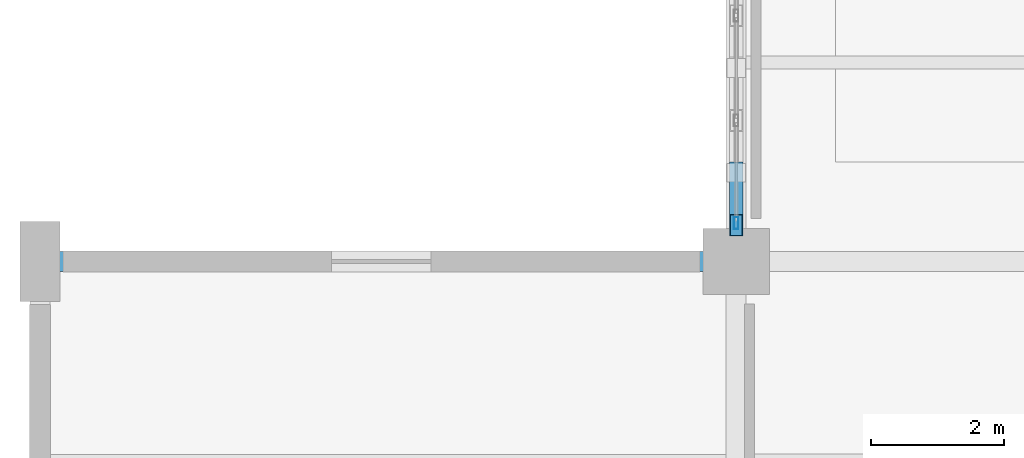
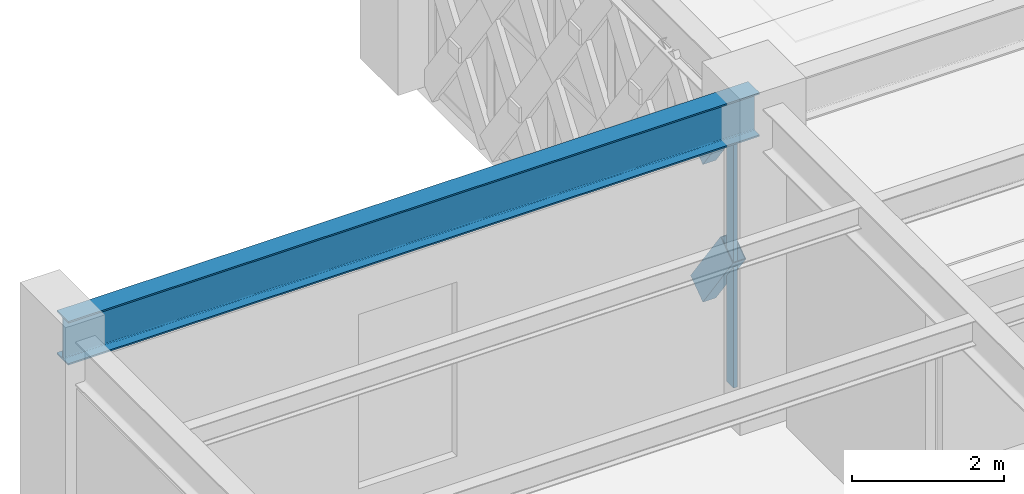
# One storey, part 39 of 140: 3 members, 1 beam, 1 element without a shape of its own.
"""IFC4 building model written with IfcOpenShell, lengths in metres."""

import ifcopenshell
import ifcopenshell.guid

model = None  # the IFC model being written
_history = None  # IfcOwnerHistory: only IFC2X3 demands one
_inside = {}  # id of a spatial element -> (the spatial element, [elements in it])
_under = {}  # id of a project, library or spatial element -> (it, [spatial elements below it])
_declared = {}  # id of a project -> (the project, [libraries it declares])
_typed = {}  # id of a type object -> (the type object, [elements of that type])
_made_of = {}  # id of a material, layer set ... -> (it, [elements and type objects made of it])


def new_model(schema):
    """Start an empty IFC model of exactly this schema.

    Asked for "IFC4X3", IfcOpenShell would pick the latest addendum, in which some entities
    have other attributes; the version numbers below select the first issue.
    IFC2X3 requires an IfcOwnerHistory on every rooted entity: one is made here for all.
    """
    global model, _history
    if schema == "IFC4X3":
        model = ifcopenshell.file(schema_version=(4, 3, 0, 0))
    else:
        model = ifcopenshell.file(schema=schema)
    _inside.clear()
    _under.clear()
    _declared.clear()
    _typed.clear()
    _made_of.clear()
    _history = None
    if model.schema == "IFC2X3":
        org = make("IfcOrganization", Name="unknown")
        user = make(
            "IfcPersonAndOrganization",
            ThePerson=make("IfcPerson", FamilyName="unknown"),
            TheOrganization=org,
        )
        app = make(
            "IfcApplication",
            ApplicationDeveloper=org,
            Version="unknown",
            ApplicationFullName="unknown",
            ApplicationIdentifier="unknown",
        )
        _history = make(
            "IfcOwnerHistory",
            OwningUser=user,
            OwningApplication=app,
            ChangeAction="ADDED",
            CreationDate=0,
        )
    return model


def make(cls, **values):
    """One entity of the class cls with the attributes given. An attribute that is None is left unset."""
    return model.create_entity(
        cls, **{name: value for name, value in values.items() if value is not None}
    )


def rooted(cls, **values):
    """An entity with a GlobalId (a new one), such as an element, a storey or a relation."""
    return make(cls, GlobalId=ifcopenshell.guid.new(), OwnerHistory=_history, **values)


def si_unit(unit_type, name, prefix=None):
    """IfcSIUnit, for example si_unit("LENGTHUNIT", "METRE", prefix="MILLI")."""
    return make("IfcSIUnit", UnitType=unit_type, Prefix=prefix, Name=name)


def assignment(units):
    """IfcUnitAssignment: the units of a project."""
    return None if units is None else make("IfcUnitAssignment", Units=units)


def point(xyz):
    """IfcCartesianPoint."""
    return None if xyz is None else make("IfcCartesianPoint", Coordinates=xyz)


def direction(xyz):
    """IfcDirection."""
    return None if xyz is None else make("IfcDirection", DirectionRatios=xyz)


def frame(location, z_axis=None, x_axis=None):
    """IfcAxis2Placement3D, a coordinate frame: its origin and axes. An axis left out is left unset."""
    return make(
        "IfcAxis2Placement3D",
        Location=point(location),
        Axis=direction(z_axis),
        RefDirection=direction(x_axis),
    )


def frame_2d(location, x_axis=None):
    """IfcAxis2Placement2D, a coordinate frame in the plane: its origin and x axis."""
    return make(
        "IfcAxis2Placement2D", Location=point(location), RefDirection=direction(x_axis)
    )


def origin():
    """The frame at (0, 0, 0) with its axes left unset."""
    return frame((0.0, 0.0, 0.0))


def origin_2d():
    """The frame at (0, 0) in the plane with its x axis left unset."""
    return frame_2d((0.0, 0.0))


def place(relative_to, where):
    """IfcLocalPlacement: puts the frame where relative to a parent placement (None: the world)."""
    return make(
        "IfcLocalPlacement", PlacementRelTo=relative_to, RelativePlacement=where
    )


def context(
    kind, dimensions, precision=None, world=None, true_north=None, identifier=None
):
    """IfcGeometricRepresentationContext, for example the 3D "Model" context."""
    return make(
        "IfcGeometricRepresentationContext",
        ContextIdentifier=identifier,
        ContextType=kind,
        CoordinateSpaceDimension=dimensions,
        Precision=precision,
        WorldCoordinateSystem=world,
        TrueNorth=true_north,
    )


def subcontext(parent, identifier, kind, view, scale=None):
    """IfcGeometricRepresentationSubContext, for example "Body" below "Model"."""
    return make(
        "IfcGeometricRepresentationSubContext",
        ContextIdentifier=identifier,
        ContextType=kind,
        ParentContext=parent,
        TargetScale=scale,
        TargetView=view,
    )


def project(units=None, contexts=None):
    """IfcProject with its units and contexts."""
    return rooted(
        "IfcProject",
        Name="project",
        RepresentationContexts=contexts,
        UnitsInContext=assignment(units),
    )


def spatial(cls, under=None, at=None, **own):
    """A site, building, storey or space (cls), placed at a placement, below another one or the project."""
    s = rooted(cls, ObjectPlacement=at, **own)
    if under is not None:
        _under.setdefault(under.id(), (under, []))[1].append(s)
    return s


def profile(cls, at=None, kind="AREA", **sizes):
    """A parametric profile (cls). Its sizes go by their IFC names, for example OverallWidth=200.0."""
    return make(cls, ProfileType=kind, Position=at, **sizes)


def hollow_rectangle(**sizes):
    """IfcRectangleHollowProfileDef."""
    return profile("IfcRectangleHollowProfileDef", **sizes)


def i_section(**sizes):
    """IfcIShapeProfileDef."""
    return profile("IfcIShapeProfileDef", **sizes)


def extrude(swept, where, along, depth):
    """IfcExtrudedAreaSolid: the profile swept, set in the frame where, extruded along a direction by depth."""
    return make(
        "IfcExtrudedAreaSolid",
        SweptArea=swept,
        Position=where,
        ExtrudedDirection=direction(along),
        Depth=depth,
    )


def shape(context_of_items, identifier, shape_type, items):
    """IfcShapeRepresentation: the items that make up one representation, for example the "Body"."""
    return make(
        "IfcShapeRepresentation",
        ContextOfItems=context_of_items,
        RepresentationIdentifier=identifier,
        RepresentationType=shape_type,
        Items=items,
    )


def material(Name=None, Category=None):
    """IfcMaterial."""
    return make("IfcMaterial", Name=Name, Category=Category)


def material_profile(
    of_material, cross_section, Name=None, Category=None, Priority=None
):
    """IfcMaterialProfile: a cross section and its material."""
    return make(
        "IfcMaterialProfile",
        Name=Name,
        Material=of_material,
        Profile=cross_section,
        Priority=Priority,
        Category=Category,
    )


def profile_set(profiles, Name=None, composite=None):
    """IfcMaterialProfileSet."""
    return make(
        "IfcMaterialProfileSet",
        Name=Name,
        MaterialProfiles=profiles,
        CompositeProfile=composite,
    )


def made_of(thing, what):
    """Note that an element or type object is made of a material, layer set ...; save() writes the relation."""
    if what is not None:
        _made_of.setdefault(what.id(), (what, []))[1].append(thing)
    return thing


def type_object(cls, material=None, **own):
    """A type object (cls), such as IfcWallType, which elements share."""
    return made_of(rooted(cls, **own), material)


def element(
    cls,
    number,
    at=None,
    inside=None,
    cuts=None,
    type_object=None,
    material=None,
    context=None,
    identifier="Body",
    shape_type=None,
    held_by="IfcProductDefinitionShape",
    body=None,
    shapes=None,
    **own,
):
    """One element of the class cls, such as IfcWall. Its Tag is "e" and its number.

    at: its placement. inside: the storey or other place that contains it. cuts: it is an
    opening in that element (IfcRelVoidsElement). A single representation is given by context,
    identifier, shape_type and body (its items); several are given by shapes. held_by: the class
    of the entity that holds the representations. save() writes the other relations.
    """
    e = rooted(cls, Tag="e%d" % number, ObjectPlacement=at, **own)
    if body is not None:
        shapes = [shape(context, identifier, shape_type, body)]
    if shapes is not None:
        e.Representation = make(held_by, Representations=shapes)
    if inside is not None:
        _inside.setdefault(inside.id(), (inside, []))[1].append(e)
    if cuts is not None:
        rooted(
            "IfcRelVoidsElement", RelatingBuildingElement=cuts, RelatedOpeningElement=e
        )
    if type_object is not None:
        _typed.setdefault(type_object.id(), (type_object, []))[1].append(e)
    return made_of(e, material)


def aggregate(whole, parts):
    """IfcRelAggregates: a whole, such as a stair, and the parts it consists of."""
    return rooted("IfcRelAggregates", RelatingObject=whole, RelatedObjects=parts)


def save(model, path):
    """Write the relations noted so far, then the file.

    IfcRelAggregates (storeys below a building ...), IfcRelContainedInSpatialStructure (elements
    in a storey), IfcRelDefinesByType, IfcRelAssociatesMaterial and IfcRelDeclares: one each for
    every whole, place, type object, material and project.
    """
    for whole, parts in _under.values():
        aggregate(whole, parts)
    for where, things in _inside.values():
        rooted(
            "IfcRelContainedInSpatialStructure",
            RelatedElements=things,
            RelatingStructure=where,
        )
    for kind, things in _typed.values():
        rooted("IfcRelDefinesByType", RelatedObjects=things, RelatingType=kind)
    for what, things in _made_of.values():
        rooted("IfcRelAssociatesMaterial", RelatedObjects=things, RelatingMaterial=what)
    for by, libraries in _declared.values():
        rooted("IfcRelDeclares", RelatingContext=by, RelatedDefinitions=libraries)
    model.write(path)


model = new_model("IFC4")

# Units and contexts
model_context = context("Model", 3, precision=1e-05, world=origin(), true_north=direction((0.0, 1.0)))
body_context = subcontext(model_context, "Body", "Model", "MODEL_VIEW")
ifc_project = project(units=[si_unit("LENGTHUNIT", "METRE"), si_unit("AREAUNIT", "SQUARE_METRE"), si_unit("VOLUMEUNIT", "CUBIC_METRE"), si_unit("PLANEANGLEUNIT", "RADIAN"), si_unit("MASSUNIT", "GRAM", prefix="KILO")], contexts=[model_context])

# Site, building, storey
site_placement = place(None, origin())
site = spatial("IfcSite", under=ifc_project, at=site_placement, CompositionType="ELEMENT")
building_placement = place(site_placement, origin())
building = spatial("IfcBuilding", under=site, at=building_placement, Name="Haizhuo Lancet Aquarium", CompositionType="ELEMENT")
storey_placement = place(building_placement, origin())
storey = spatial("IfcBuildingStorey", under=building, at=storey_placement, Name="L00", CompositionType="ELEMENT", Elevation=0.0)

# Beam
ifc_material_1 = material(Name="Steel S355", Category="steel")
ifc_material_profile_1 = material_profile(ifc_material_1, i_section(OverallWidth=0.300048828125, OverallDepth=0.699951171875, WebThickness=0.012939453125, FlangeThickness=0.02392578125, FilletRadius=0.02587890625, at=origin_2d()), Name="HN 700x300x13x24")
ifc_profile_set_1 = profile_set([ifc_material_profile_1], Name="Steel S355")
beam_type = type_object("IfcBeamType", Name="BM-ST-HN700", PredefinedType="BEAM", material=ifc_profile_set_1)
beam_placement = place(storey_placement, frame((-82.5, 18.0, 4.77001953125), z_axis=(1.0, 0.0, 0.0), x_axis=(0.0, 1.0, 0.0)))
element("IfcBeam", 1, at=beam_placement, inside=storey, type_object=beam_type, Name="L00 V2 primary girder BM-L00-V2-003", PredefinedType="BEAM", context=body_context, shape_type="SweptSolid", body=[
    extrude(i_section(OverallWidth=0.300048828125, OverallDepth=0.699951171875, WebThickness=0.012939453125, FlangeThickness=0.02392578125, FilletRadius=0.02587890625, at=origin_2d()), origin(), (0.0, 0.0, 1.0), 10.5),
])

# Curtain wall, member
ifc_material_2 = material(Name="Aluminium 6063-T6", Category="aluminium")
curtain_wall_type = type_object("IfcCurtainWallType", Name="CWD-7910x4420", PredefinedType="NOTDEFINED", material=ifc_material_2)
curtain_wall_placement = place(storey_placement, origin())
curtain_wall = element("IfcCurtainWall", 2, at=curtain_wall_placement, inside=storey, type_object=curtain_wall_type, Name="L00 curtain wall CW-V2-L00-013", PredefinedType="NOTDEFINED")
ifc_material_profile_2 = material_profile(ifc_material_2, hollow_rectangle(XDim=0.06494140625, YDim=0.179931640625, WallThickness=0.00390625, at=origin_2d()), Name="ALU-M 65x180x4")
ifc_profile_set_2 = profile_set([ifc_material_profile_2], Name="Aluminium 6063-T6")
member_type_1 = type_object("IfcMemberType", Name="CW-MUL-1", PredefinedType="MULLION", material=ifc_profile_set_2)
member_placement = place(storey_placement, frame((-72.0, 18.577880859375, 0.0), z_axis=(0.0, 0.0, 1.0), x_axis=(-1.0, 0.0, 0.0)))
member = element("IfcMember", 3, at=member_placement, type_object=member_type_1, Name="CWD-79x44 mullion 1", PredefinedType="MULLION", context=body_context, shape_type="SweptSolid", body=[
    extrude(hollow_rectangle(XDim=0.06494140625, YDim=0.179931640625, WallThickness=0.00390625, at=origin_2d()), origin(), (0.0, 0.0, 1.0), 4.419921875),
])
aggregate(curtain_wall, [member])

# Members
ifc_material_profile_3 = material_profile(ifc_material_1, hollow_rectangle(XDim=0.199951171875, YDim=0.39990234375, WallThickness=0.011962890625, at=origin_2d()), Name="RHS 200x400x12")
ifc_profile_set_3 = profile_set([ifc_material_profile_3], Name="Steel S355")
member_type_2 = type_object("IfcMemberType", Name="MEM-LB-RHS200x400", PredefinedType="BRACE", material=ifc_profile_set_3)
for number, where, z_axis, x_axis, name in (
    (4, (-72.0, 19.3359375, 1.10498046875), (0.0, -0.582087604305, 0.813126079347), (1.0, 0.0, 0.0), "Gothic lancet split diagonal brace CW-V2-L00-013 1B2"),
    (5, (-72.0, 19.3359375, 3.31494140625), (0.0, -0.582087604305, 0.813126079347), (1.0, 0.0, 0.0), "Gothic lancet split diagonal brace CW-V2-L00-013 2B2"),
):
    element("IfcMember", number, at=place(storey_placement, frame(where, z_axis=z_axis, x_axis=x_axis)), inside=storey, type_object=member_type_2, Name=name, PredefinedType="BRACE", context=body_context, shape_type="SweptSolid", body=[
        extrude(hollow_rectangle(XDim=0.199951171875, YDim=0.39990234375, WallThickness=0.011962890625, at=origin_2d()), origin(), (0.0, 0.0, 1.0), 1.35888671875),
    ])

save(model, "model.ifc")
